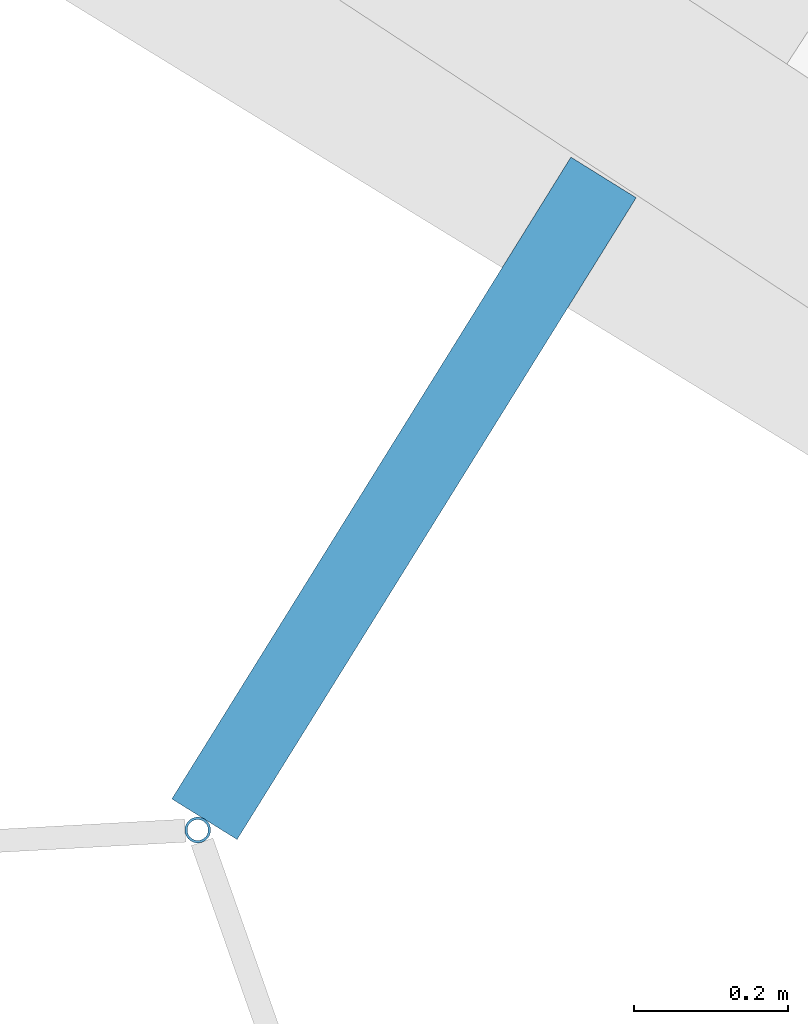
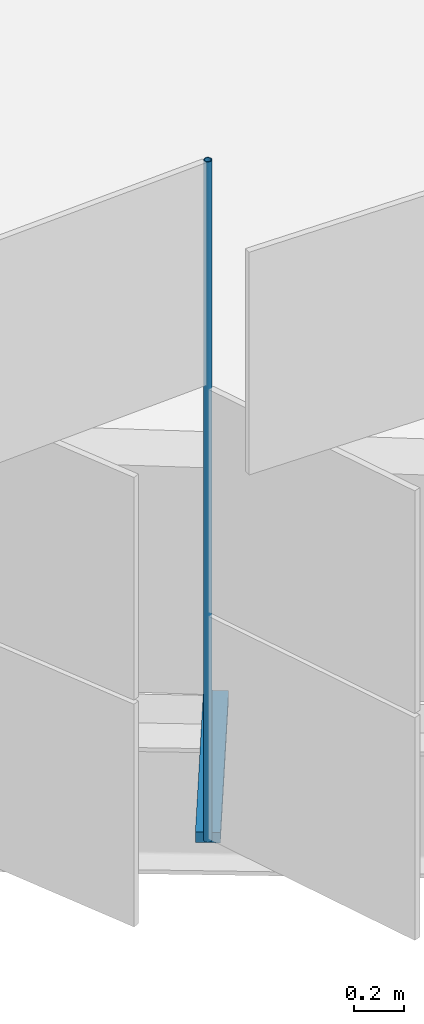
# One storey, part 114 of 198: 2 discrete accessories.
"""IFC4 building model written with IfcOpenShell, lengths in metres."""

from ifc_helpers import new_model, si_unit, direction, frame, origin, origin_2d, place, context, subcontext, project, spatial, rectangle, hollow_circle, extrude, material, material_profile, profile_set, type_object, element, save


model = new_model("IFC4")

# Units and contexts
model_context = context("Model", 3, precision=1e-05, world=origin(), true_north=direction((0.0, 1.0)))
body_context = subcontext(model_context, "Body", "Model", "MODEL_VIEW")
ifc_project = project(units=[si_unit("LENGTHUNIT", "METRE"), si_unit("AREAUNIT", "SQUARE_METRE"), si_unit("VOLUMEUNIT", "CUBIC_METRE"), si_unit("PLANEANGLEUNIT", "RADIAN"), si_unit("MASSUNIT", "GRAM", prefix="KILO")], contexts=[model_context])

# Site, building, storey
site_placement = place(None, origin())
site = spatial("IfcSite", under=ifc_project, at=site_placement, CompositionType="ELEMENT")
building_placement = place(site_placement, origin())
building = spatial("IfcBuilding", under=site, at=building_placement, Name="Parallax Yard Mobility Hub", CompositionType="ELEMENT")
storey_placement = place(building_placement, frame((0.0, 0.0, 6.60009765625)))
storey = spatial("IfcBuildingStorey", under=building, at=storey_placement, Name="L02", CompositionType="ELEMENT", Elevation=6.60009765625)

# Discrete accessories
ifc_material_1 = material(Name="Steel ASTM A36, hot-dip galvanised", Category="steel")
discrete_accessory_type_1 = type_object("IfcDiscreteAccessoryType", Name="Hinge bracket plate 100x50", PredefinedType="BRACKET", material=ifc_material_1)
discrete_accessory_1_placement = place(storey_placement, frame((184.48583984375, 108.44921875, -0.02490234375), z_axis=(0.0, 0.0, 1.0), x_axis=(-0.52806785065, -0.849202181527, 0.0)))
element("IfcDiscreteAccessory", 1, at=discrete_accessory_1_placement, inside=storey, type_object=discrete_accessory_type_1, Name="Hinge bracket plate bay 19.6 level L02", PredefinedType="BRACKET", context=body_context, shape_type="SweptSolid", body=[
    extrude(rectangle(XDim=0.984130859375, YDim=0.10009765625, at=origin_2d()), origin(), (0.0, 0.0, 1.0), 0.050048828125),
])
ifc_material_2 = material(Name="Steel ASTM A500 Gr C, hot-dip galvanised", Category="steel")
ifc_material_profile = material_profile(ifc_material_2, hollow_circle(Radius=0.016845703125, WallThickness=0.003173828125, at=origin_2d()), Name="CHS 33.7x3.2")
ifc_profile_set = profile_set([ifc_material_profile], Name="Steel ASTM A500 Gr C, hot-dip galvanised")
discrete_accessory_type_2 = type_object("IfcDiscreteAccessoryType", Name="Hinge post CHS 33.7x3.2", PredefinedType="BRACKET", material=ifc_profile_set)
discrete_accessory_2_placement = place(storey_placement, frame((184.21728515625, 108.017333984375, 0.0), z_axis=(0.0, 0.0, 1.0), x_axis=(1.0, 0.0, 0.0)))
element("IfcDiscreteAccessory", 2, at=discrete_accessory_2_placement, inside=storey, type_object=discrete_accessory_type_2, Name="Hinge post bay 19.6 level L02", PredefinedType="BRACKET", context=body_context, shape_type="SweptSolid", body=[
    extrude(hollow_circle(Radius=0.016845703125, WallThickness=0.003173828125, at=origin_2d()), origin(), (0.0, 0.0, 1.0), 3.2998046875),
])

save(model, "model.ifc")
